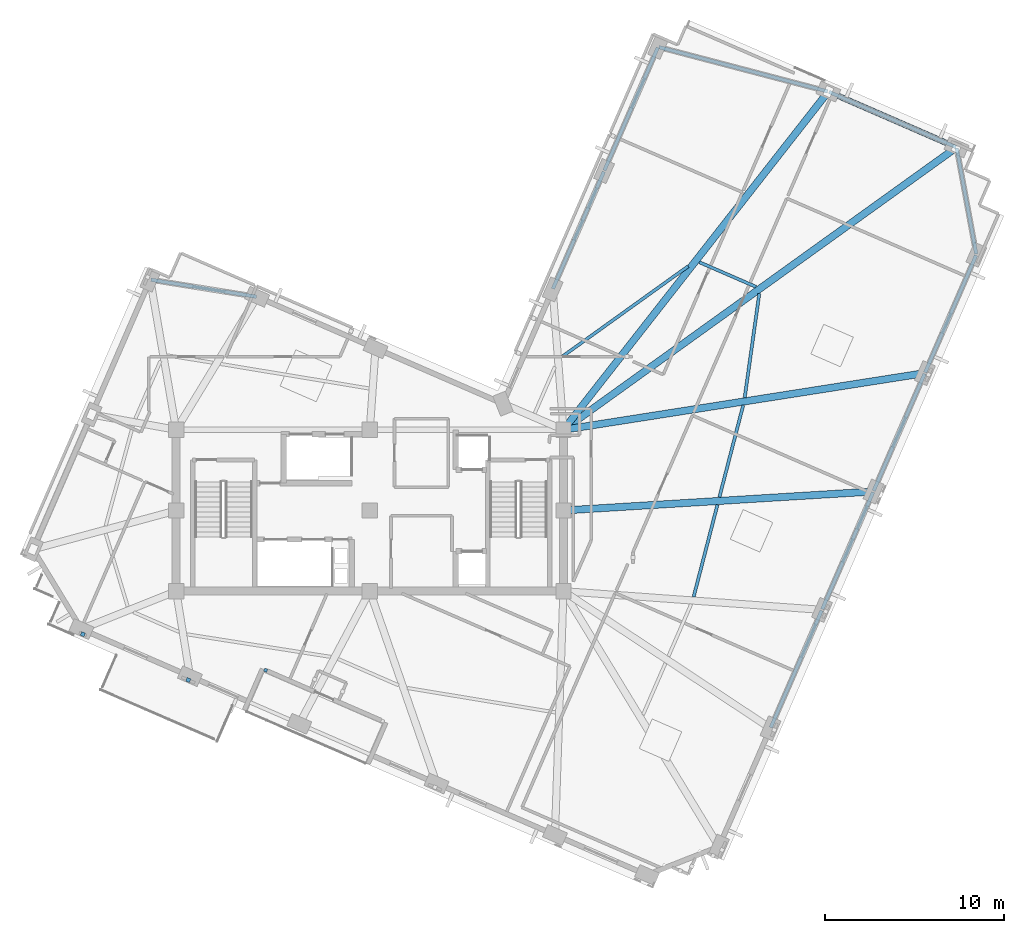
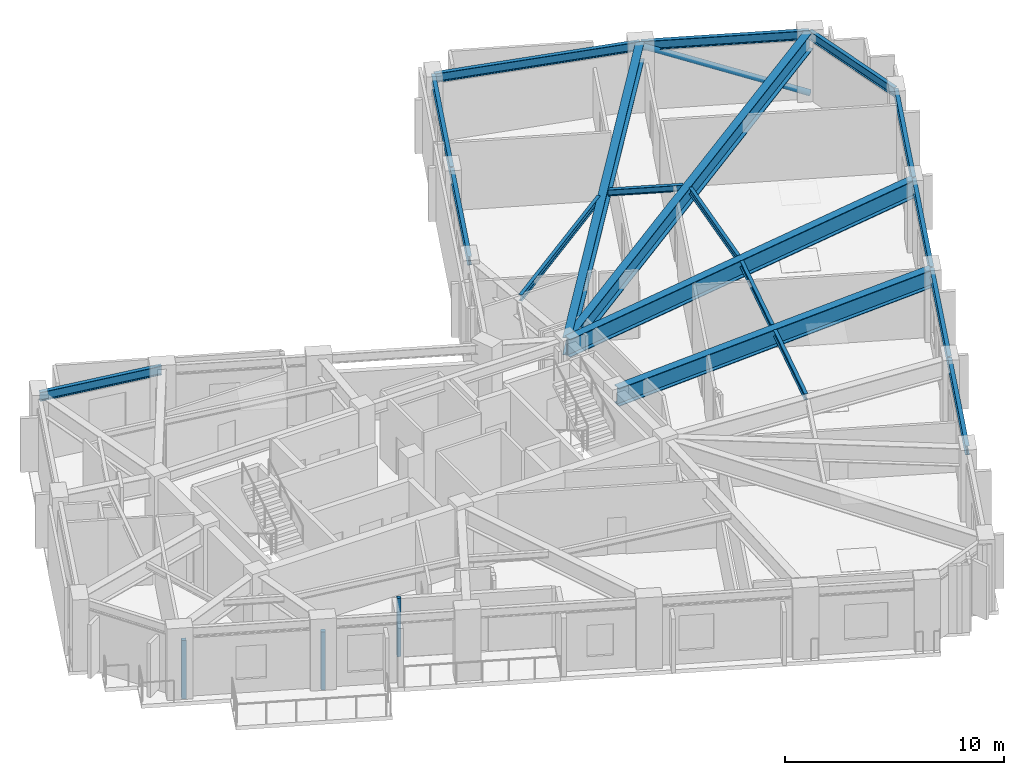
# One storey, part 2 of 12: 19 beams, 3 plates, 1 member.
"""IFC4 building model written with IfcOpenShell, lengths in metres."""

from ifc_helpers import new_model, si_unit, direction, frame, origin, origin_2d, place, context, subcontext, project, spatial, rectangle, hollow_circle, i_section, extrude, material, layer, layer_set, material_profile, profile_set, type_object, element, save


model = new_model("IFC4")

# Units and contexts
model_context = context("Model", 3, precision=1e-05, world=origin(), true_north=direction((0.0, 1.0)))
body_context = subcontext(model_context, "Body", "Model", "MODEL_VIEW")
ifc_project = project(units=[si_unit("LENGTHUNIT", "METRE"), si_unit("AREAUNIT", "SQUARE_METRE"), si_unit("VOLUMEUNIT", "CUBIC_METRE"), si_unit("PLANEANGLEUNIT", "RADIAN"), si_unit("MASSUNIT", "GRAM", prefix="KILO")], contexts=[model_context])

# Site, building, storey
site_placement = place(None, origin())
site = spatial("IfcSite", under=ifc_project, at=site_placement, CompositionType="ELEMENT")
building_placement = place(site_placement, origin())
building = spatial("IfcBuilding", under=site, at=building_placement, Name="Gaonmaruhae Medical Tower", CompositionType="ELEMENT")
storey_placement = place(building_placement, frame((0.0, 0.0, 308.60009765625)))
storey = spatial("IfcBuildingStorey", under=building, at=storey_placement, Name="L74", CompositionType="ELEMENT", Elevation=308.60009765625)

# Beams
ifc_material_1 = material(Name="Steel SM420", Category="steel")
ifc_material_profile_1 = material_profile(ifc_material_1, i_section(OverallWidth=0.39990234375, OverallDepth=1.0, WebThickness=0.02197265625, FlangeThickness=0.035888671875, at=origin_2d()), Name="BH-1000x400x22x36")
ifc_profile_set_1 = profile_set([ifc_material_profile_1], Name="Steel SM420")
beam_type_1 = type_object("IfcBeamType", Name="BG-02 Refuge Floor Primary Girder (BH-1000x400x22x36)", PredefinedType="BEAM", material=ifc_profile_set_1)
beam_1_placement = place(storey_placement, frame((35.64990234375, 12.302978515625, 3.27978515625), z_axis=(0.998125311209, 0.061203456791, 0.0), x_axis=(-0.061203456791, 0.998125311209, 0.0)))
element("IfcBeam", 1, at=beam_1_placement, inside=storey, type_object=beam_type_1, Name="L74 Radial Primary Girder S04", PredefinedType="BEAM", context=body_context, shape_type="SweptSolid", body=[
    extrude(i_section(OverallWidth=0.39990234375, OverallDepth=1.0, WebThickness=0.02197265625, FlangeThickness=0.035888671875, at=origin_2d()), origin(), (0.0, 0.0, 1.0), 17.220458984375),
])
beam_2_placement = place(storey_placement, frame((35.6494140625, 16.807861328125, 3.27978515625), z_axis=(0.987915736395, 0.15499192812, 0.0), x_axis=(-0.15499192812, 0.987915736395, 0.0)))
element("IfcBeam", 2, at=beam_2_placement, inside=storey, type_object=beam_type_1, Name="L74 Radial Primary Girder S05", PredefinedType="BEAM", context=body_context, shape_type="SweptSolid", body=[
    extrude(i_section(OverallWidth=0.39990234375, OverallDepth=1.0, WebThickness=0.02197265625, FlangeThickness=0.035888671875, at=origin_2d()), origin(), (0.0, 0.0, 1.0), 20.3056640625),
])
beam_3_placement = place(storey_placement, frame((35.640625, 16.8291015625, 3.27978515625), z_axis=(0.812127869731, 0.583479496818, 0.0), x_axis=(-0.583479496818, 0.812127869731, 0.0)))
element("IfcBeam", 3, at=beam_3_placement, inside=storey, type_object=beam_type_1, Name="L74 Radial Primary Girder E01", PredefinedType="BEAM", context=body_context, shape_type="SweptSolid", body=[
    extrude(i_section(OverallWidth=0.39990234375, OverallDepth=1.0, WebThickness=0.02197265625, FlangeThickness=0.035888671875, at=origin_2d()), origin(), (0.0, 0.0, 1.0), 26.89794921875),
])
beam_4_placement = place(storey_placement, frame((35.630859375, 16.83935546875, 3.27978515625), z_axis=(0.616575305367, 0.78729593725, 0.0), x_axis=(-0.78729593725, 0.616575305367, 0.0)))
element("IfcBeam", 4, at=beam_4_placement, inside=storey, type_object=beam_type_1, Name="L74 Radial Primary Girder E02", PredefinedType="BEAM", context=body_context, shape_type="SweptSolid", body=[
    extrude(i_section(OverallWidth=0.39990234375, OverallDepth=1.0, WebThickness=0.02197265625, FlangeThickness=0.035888671875, at=origin_2d()), origin(), (0.0, 0.0, 1.0), 23.859130859375),
])
ifc_material_2 = material(Name="Steel SM355", Category="steel")
ifc_material_profile_2 = material_profile(ifc_material_2, i_section(OverallWidth=0.175048828125, OverallDepth=0.35009765625, WebThickness=0.007080078125, FlangeThickness=0.010986328125, FilletRadius=0.012939453125, at=origin_2d()), Name="H-350x175x7x11")
ifc_profile_set_2 = profile_set([ifc_material_profile_2], Name="Steel SM355")
beam_type_2 = type_object("IfcBeamType", Name="FJ-02 Upper Zone Ward Floor Joist (H-350x175x7x11)", PredefinedType="JOIST", material=ifc_profile_set_2)
beam_5_placement = place(storey_placement, frame((42.86083984375, 7.481201171875, 3.60498046875), z_axis=(0.250373159945, 0.968149410359, 0.0), x_axis=(-0.968149410359, 0.250373159945, 0.0)))
element("IfcBeam", 5, at=beam_5_placement, inside=storey, type_object=beam_type_2, Name="L74 Secondary Floor Joist FJ03", PredefinedType="JOIST", context=body_context, shape_type="SweptSolid", body=[
    extrude(i_section(OverallWidth=0.175048828125, OverallDepth=0.35009765625, WebThickness=0.007080078125, FlangeThickness=0.010986328125, FilletRadius=0.012939453125, at=origin_2d()), origin(), (0.0, 0.0, 1.0), 5.30859375),
])
beam_6_placement = place(storey_placement, frame((44.298095703125, 13.03955078125, 3.60498046875), z_axis=(0.25037313325, 0.968149417263, 0.0), x_axis=(-0.968149417263, 0.25037313325, 0.0)))
element("IfcBeam", 6, at=beam_6_placement, inside=storey, type_object=beam_type_2, Name="L74 Secondary Floor Joist FJ04", PredefinedType="JOIST", context=body_context, shape_type="SweptSolid", body=[
    extrude(i_section(OverallWidth=0.175048828125, OverallDepth=0.35009765625, WebThickness=0.007080078125, FlangeThickness=0.010986328125, FilletRadius=0.012939453125, at=origin_2d()), origin(), (0.0, 0.0, 1.0), 5.2939453125),
])
beam_7_placement = place(storey_placement, frame((45.70947265625, 18.594482421875, 3.60498046875), z_axis=(0.138970704931, 0.990296492557, 0.0), x_axis=(-0.990296492557, 0.138970704931, 0.0)))
element("IfcBeam", 7, at=beam_7_placement, inside=storey, type_object=beam_type_2, Name="L74 Secondary Floor Joist FJ05", PredefinedType="JOIST", context=body_context, shape_type="SweptSolid", body=[
    extrude(i_section(OverallWidth=0.175048828125, OverallDepth=0.35009765625, WebThickness=0.007080078125, FlangeThickness=0.010986328125, FilletRadius=0.012939453125, at=origin_2d()), origin(), (0.0, 0.0, 1.0), 5.85888671875),
])
beam_8_placement = place(storey_placement, frame((46.34375, 24.771484375, 3.60498046875), z_axis=(-0.917037412136, 0.39880118448, 0.0), x_axis=(-0.39880118448, -0.917037412136, 0.0)))
element("IfcBeam", 8, at=beam_8_placement, inside=storey, type_object=beam_type_2, Name="L74 Secondary Floor Joist FJ06", PredefinedType="JOIST", context=body_context, shape_type="SweptSolid", body=[
    extrude(i_section(OverallWidth=0.175048828125, OverallDepth=0.35009765625, WebThickness=0.007080078125, FlangeThickness=0.010986328125, FilletRadius=0.012939453125, at=origin_2d()), origin(), (0.0, 0.0, 1.0), 3.448486328125),
])
beam_9_placement = place(storey_placement, frame((42.553955078125, 25.921142578125, 3.60498046875), z_axis=(-0.812434971378, -0.583051813548, 0.0), x_axis=(0.583051813548, -0.812434971378, 0.0)))
element("IfcBeam", 9, at=beam_9_placement, inside=storey, type_object=beam_type_2, Name="L74 Secondary Floor Joist FJ07", PredefinedType="JOIST", context=body_context, shape_type="SweptSolid", body=[
    extrude(i_section(OverallWidth=0.175048828125, OverallDepth=0.35009765625, WebThickness=0.007080078125, FlangeThickness=0.010986328125, FilletRadius=0.012939453125, at=origin_2d()), origin(), (0.0, 0.0, 1.0), 8.690185546875),
])

# Member
ifc_material_profile_3 = material_profile(ifc_material_2, hollow_circle(Radius=0.1591796875, WallThickness=0.01025390625, at=origin_2d()), Name="CHS-318.5x10.3")
ifc_profile_set_3 = profile_set([ifc_material_profile_3], Name="Steel SM355")
member_type = type_object("IfcMemberType", Name="PB-03 Perimeter Solid-Bay Tube Brace Upper (CHS-318.5x10.3)", PredefinedType="BRACE", material=ifc_profile_set_3)
member_placement = place(storey_placement, frame((57.525634765625, 32.552734375, 0.25), z_axis=(-0.845363434986, 0.367570646402, 0.387624151328), x_axis=(-0.398745568807, -0.917061596272, 0.0)))
element("IfcMember", 10, at=member_placement, inside=storey, type_object=member_type, Name="L74 Perimeter Tube Solid-Bay Brace E01-E02", PredefinedType="BRACE", context=body_context, shape_type="SweptSolid", body=[
    extrude(hollow_circle(Radius=0.1591796875, WallThickness=0.01025390625, at=origin_2d()), origin(), (0.0, 0.0, 1.0), 8.461181640625),
])

# Beams
ifc_material_profile_4 = material_profile(ifc_material_2, i_section(OverallWidth=0.199951171875, OverallDepth=0.5, WebThickness=0.010009765625, FlangeThickness=0.01611328125, FilletRadius=0.012939453125, at=origin_2d()), Name="H-500x200x10x16")
ifc_profile_set_4 = profile_set([ifc_material_profile_4], Name="Steel SM355")
beam_type_3 = type_object("IfcBeamType", Name="SP-02 Upper Perimeter Spandrel Beam (H-500x200x10x16)", PredefinedType="SPANDREL", material=ifc_profile_set_4)
beam_10_placement = place(storey_placement, frame((47.162109375, 0.191162109375, 3.52978515625), z_axis=(0.398759965154, 0.917055336493, 0.0), x_axis=(-0.917055336493, 0.398759965154, 0.0)))
element("IfcBeam", 11, at=beam_10_placement, inside=storey, type_object=beam_type_3, Name="L74 Perimeter Spandrel Beam S02-S03", PredefinedType="SPANDREL", context=body_context, shape_type="SweptSolid", body=[
    extrude(i_section(OverallWidth=0.199951171875, OverallDepth=0.5, WebThickness=0.010009765625, FlangeThickness=0.01611328125, FilletRadius=0.012939453125, at=origin_2d()), origin(), (0.0, 0.0, 1.0), 7.119873046875),
])
for number, where, z_axis, x_axis, name in (
    (12, (50.032958984375, 6.7939453125, 3.52978515625), (0.398747426125, 0.917060788693, 0.0), (-0.917060788693, 0.398747426125, 0.0), "L74 Perimeter Spandrel Beam S03-S04"),
    (13, (52.904052734375, 13.396728515625, 3.52978515625), (0.398747426125, 0.917060788693, 0.0), (-0.917060788693, 0.398747426125, 0.0), "L74 Perimeter Spandrel Beam S04-S05"),
):
    element("IfcBeam", number, at=place(storey_placement, frame(where, z_axis=z_axis, x_axis=x_axis)), inside=storey, type_object=beam_type_3, Name=name, PredefinedType="SPANDREL", context=body_context, shape_type="SweptSolid", body=[
        extrude(i_section(OverallWidth=0.199951171875, OverallDepth=0.5, WebThickness=0.010009765625, FlangeThickness=0.01611328125, FilletRadius=0.012939453125, at=origin_2d()), origin(), (0.0, 0.0, 1.0), 7.1201171875),
    ])
beam_11_placement = place(storey_placement, frame((55.775146484375, 19.99951171875, 3.52978515625), z_axis=(0.398718588421, 0.917073327083, 0.0), x_axis=(-0.917073327083, 0.398718588421, 0.0)))
element("IfcBeam", 14, at=beam_11_placement, inside=storey, type_object=beam_type_3, Name="L74 Perimeter Spandrel Beam S05-S06", PredefinedType="SPANDREL", context=body_context, shape_type="SweptSolid", body=[
    extrude(i_section(OverallWidth=0.199951171875, OverallDepth=0.5, WebThickness=0.010009765625, FlangeThickness=0.01611328125, FilletRadius=0.012939453125, at=origin_2d()), origin(), (0.0, 0.0, 1.0), 7.119873046875),
])
beam_12_placement = place(storey_placement, frame((58.622802734375, 26.60498046875, 3.52978515625), z_axis=(-0.181402379506, 0.983408957001, 0.0), x_axis=(-0.983408957001, -0.181402379506, 0.0)))
element("IfcBeam", 15, at=beam_12_placement, inside=storey, type_object=beam_type_3, Name="L74 Perimeter Spandrel Beam S06-E01", PredefinedType="SPANDREL", context=body_context, shape_type="SweptSolid", body=[
    extrude(i_section(OverallWidth=0.199951171875, OverallDepth=0.5, WebThickness=0.010009765625, FlangeThickness=0.01611328125, FilletRadius=0.012939453125, at=origin_2d()), origin(), (0.0, 0.0, 1.0), 6.0078125),
])
beam_13_placement = place(storey_placement, frame((57.489013671875, 32.568603515625, 3.52978515625), z_axis=(-0.91705648068, 0.398757333778, 0.0), x_axis=(-0.398757333778, -0.91705648068, 0.0)))
element("IfcBeam", 16, at=beam_13_placement, inside=storey, type_object=beam_type_3, Name="L74 Perimeter Spandrel Beam E01-E02", PredefinedType="SPANDREL", context=body_context, shape_type="SweptSolid", body=[
    extrude(i_section(OverallWidth=0.199951171875, OverallDepth=0.5, WebThickness=0.010009765625, FlangeThickness=0.01611328125, FilletRadius=0.012939453125, at=origin_2d()), origin(), (0.0, 0.0, 1.0), 7.719970703125),
])
beam_14_placement = place(storey_placement, frame((50.333984375, 35.673095703125, 3.52978515625), z_axis=(-0.967227039177, 0.253913084904, 0.0), x_axis=(-0.253913084904, -0.967227039177, 0.0)))
element("IfcBeam", 17, at=beam_14_placement, inside=storey, type_object=beam_type_3, Name="L74 Perimeter Spandrel Beam E02-E03", PredefinedType="SPANDREL", context=body_context, shape_type="SweptSolid", body=[
    extrude(i_section(OverallWidth=0.199951171875, OverallDepth=0.5, WebThickness=0.010009765625, FlangeThickness=0.01611328125, FilletRadius=0.012939453125, at=origin_2d()), origin(), (0.0, 0.0, 1.0), 9.7353515625),
])
beam_15_placement = place(storey_placement, frame((40.863037109375, 38.118408203125, 3.52978515625), z_axis=(-0.398738062403, -0.917064860079, 0.0), x_axis=(0.917064860079, -0.398738062403, 0.0)))
element("IfcBeam", 18, at=beam_15_placement, inside=storey, type_object=beam_type_3, Name="L74 Perimeter Spandrel Beam E03-EN01", PredefinedType="SPANDREL", context=body_context, shape_type="SweptSolid", body=[
    extrude(i_section(OverallWidth=0.199951171875, OverallDepth=0.5, WebThickness=0.010009765625, FlangeThickness=0.01611328125, FilletRadius=0.012939453125, at=origin_2d()), origin(), (0.0, 0.0, 1.0), 7.469970703125),
])
beam_16_placement = place(storey_placement, frame((37.8525390625, 31.194580078125, 3.52978515625), z_axis=(-0.398759965154, -0.917055336493, 0.0), x_axis=(0.917055336493, -0.398759965154, 0.0)))
element("IfcBeam", 19, at=beam_16_placement, inside=storey, type_object=beam_type_3, Name="L74 Perimeter Spandrel Beam EN01-EN02", PredefinedType="SPANDREL", context=body_context, shape_type="SweptSolid", body=[
    extrude(i_section(OverallWidth=0.199951171875, OverallDepth=0.5, WebThickness=0.010009765625, FlangeThickness=0.01611328125, FilletRadius=0.012939453125, at=origin_2d()), origin(), (0.0, 0.0, 1.0), 7.119873046875),
])
beam_17_placement = place(storey_placement, frame((18.4765625, 24.22265625, 3.52978515625), z_axis=(-0.987363817678, 0.158469844265, 0.0), x_axis=(-0.158469844265, -0.987363817678, 0.0)))
element("IfcBeam", 20, at=beam_17_placement, inside=storey, type_object=beam_type_3, Name="L74 Perimeter Spandrel Beam NE02-N01", PredefinedType="SPANDREL", context=body_context, shape_type="SweptSolid", body=[
    extrude(i_section(OverallWidth=0.199951171875, OverallDepth=0.5, WebThickness=0.010009765625, FlangeThickness=0.01611328125, FilletRadius=0.012939453125, at=origin_2d()), origin(), (0.0, 0.0, 1.0), 5.958984375),
])

# Plates
ifc_material_3 = material(Name="Anodised aluminium 6063-T6", Category="aluminium")
ifc_layer = layer(ifc_material_3, 0.011962890625)
ifc_layer_set = layer_set([ifc_layer], Name="Anodised aluminium 6063-T6")
plate_type = type_object("IfcPlateType", Name="PP-01 Interior Partition Corner Stiffener Plate", PredefinedType="SHEET", material=ifc_layer_set)
plate_1_placement = place(storey_placement, frame((18.990966796875, 3.3896484375, 0.0), z_axis=(0.0, 0.0, 1.0), x_axis=(-0.917060074385, 0.398749068925, 0.0)))
element("IfcPlate", 21, at=plate_1_placement, inside=storey, type_object=plate_type, Name="L74 Partition End Jamb Post Plate PLT-L74-ENDP-TERB-1", PredefinedType="SHEET", context=body_context, shape_type="SweptSolid", body=[
    extrude(rectangle(XDim=0.179931640625, YDim=0.179931640625, at=origin_2d()), origin(), (0.0, 0.0, 1.0), 3.264892578125),
])
plate_2_placement = place(storey_placement, frame((14.676025390625, 2.845458984375, -0.000244140625), z_axis=(0.0, 0.0, 1.0), x_axis=(-0.917247878626, 0.398316870288, 0.0)))
element("IfcPlate", 22, at=plate_2_placement, inside=storey, type_object=plate_type, Name="L74 Partition Corner Stiffener Plate PLT-L74-JGP-PW038", PredefinedType="SHEET", context=body_context, shape_type="SweptSolid", body=[
    extrude(rectangle(XDim=0.219970703125, YDim=0.219970703125, at=origin_2d()), origin(), (0.0, 0.0, 1.0), 3.2451171875),
])
plate_3_placement = place(storey_placement, frame((8.7939453125, 5.402587890625, 0.0), z_axis=(0.0, 0.0, 1.0), x_axis=(-0.916809351952, 0.399325196016, 0.0)))
element("IfcPlate", 23, at=plate_3_placement, inside=storey, type_object=plate_type, Name="L74 Partition Corner Stiffener Plate PLT-L74-JGP-PW039", PredefinedType="SHEET", context=body_context, shape_type="SweptSolid", body=[
    extrude(rectangle(XDim=0.219970703125, YDim=0.219970703125, at=origin_2d()), origin(), (0.0, 0.0, 1.0), 3.264892578125),
])

save(model, "model.ifc")
